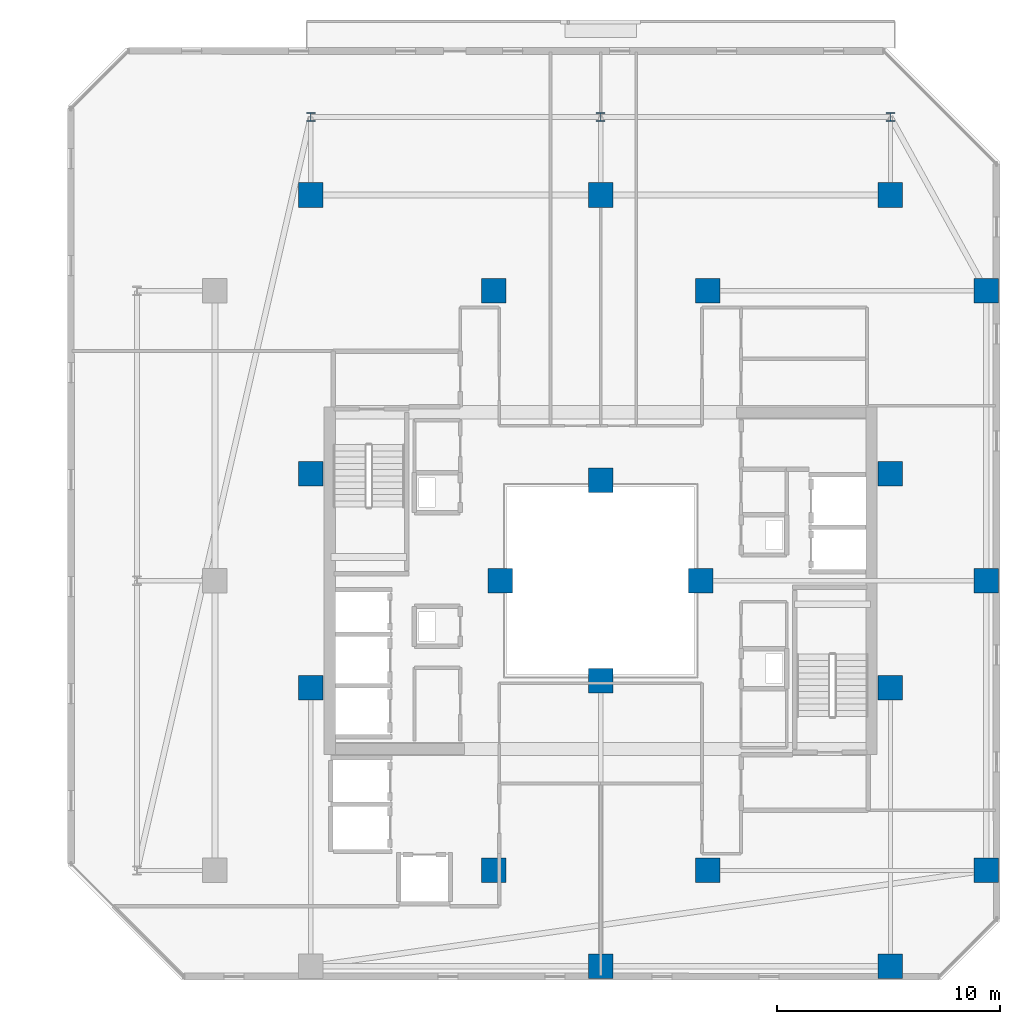
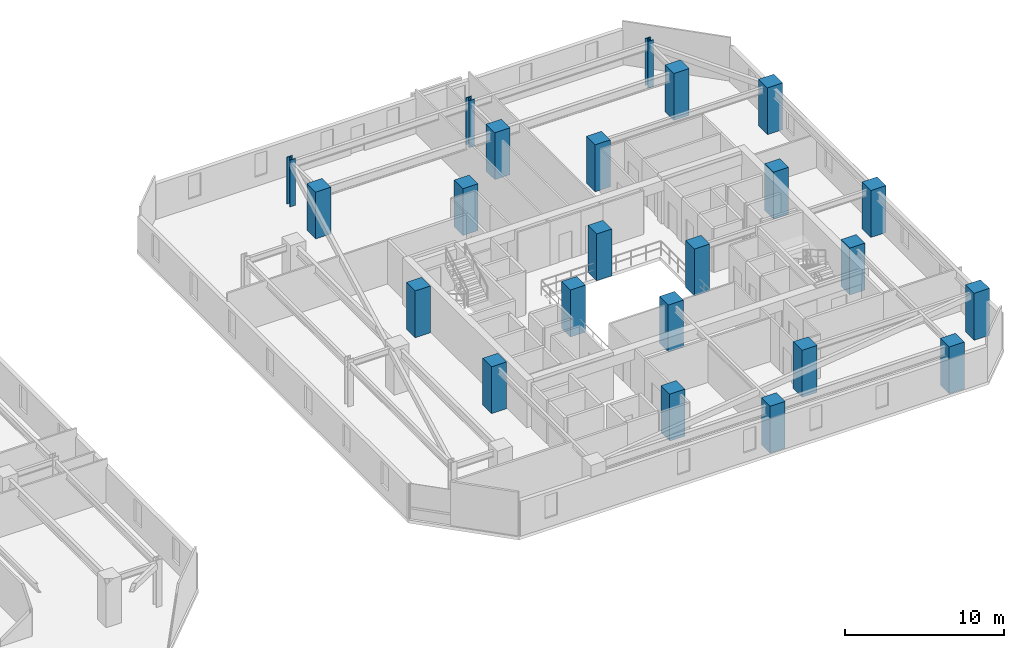
# One storey, part 2 of 33: 23 columns.
"""IFC4 building model written with IfcOpenShell, lengths in metres."""

from ifc_helpers import new_model, si_unit, direction, frame, origin, origin_2d, place, context, subcontext, project, spatial, rectangle, i_section, extrude, material, material_profile, profile_set, type_object, element, save


model = new_model("IFC4")

# Units and contexts
model_context = context("Model", 3, precision=1e-05, world=origin(), true_north=direction((0.0, 1.0)))
body_context = subcontext(model_context, "Body", "Model", "MODEL_VIEW")
ifc_project = project(units=[si_unit("LENGTHUNIT", "METRE"), si_unit("AREAUNIT", "SQUARE_METRE"), si_unit("VOLUMEUNIT", "CUBIC_METRE"), si_unit("PLANEANGLEUNIT", "RADIAN"), si_unit("MASSUNIT", "GRAM", prefix="KILO")], contexts=[model_context])

# Site, building, storey
site_placement = place(None, origin())
site = spatial("IfcSite", under=ifc_project, at=site_placement, CompositionType="ELEMENT")
building_placement = place(site_placement, origin())
building = spatial("IfcBuilding", under=site, at=building_placement, Name="Thornwick Lancets Civic Towers", CompositionType="ELEMENT")
storey_placement = place(building_placement, frame((0.0, 0.0, 189.300048828125)))
storey = spatial("IfcBuildingStorey", under=building, at=storey_placement, Name="L50", CompositionType="ELEMENT", Elevation=189.300048828125)

# Columns
ifc_material_1 = material(Name="Concrete C50/60", Category="concrete")
ifc_material_profile_1 = material_profile(ifc_material_1, rectangle(XDim=1.10009765625, YDim=1.10009765625, at=origin_2d()), Name="RC 1100x1100")
ifc_profile_set_1 = profile_set([ifc_material_profile_1], Name="Concrete C50/60")
column_type_1 = type_object("IfcColumnType", Name="COL_RC_1100", PredefinedType="COLUMN", material=ifc_profile_set_1)
for number, where, z_axis, x_axis, name in (
    (1, (105.800048828125, 14.0, 0.0), (0.0, 0.0, 1.0), (1.0, 0.0, 0.0), "L50 Spine Mega-Column B01"),
    (2, (105.800048828125, 27.0, 0.0), (0.0, 0.0, 1.0), (1.0, 0.0, 0.0), "L50 Spine Mega-Column B02"),
    (3, (105.800048828125, 40.0, 0.0), (0.0, 0.0, 1.0), (1.0, 0.0, 0.0), "L50 Spine Mega-Column B03"),
    (4, (101.5, 44.300048828125, 0.0), (0.0, 0.0, 1.0), (1.0, 0.0, 0.0), "L50 Spine Mega-Column B04"),
    (5, (88.5, 44.300048828125, 0.0), (0.0, 0.0, 1.0), (1.0, 0.0, 0.0), "L50 Spine Mega-Column B05"),
    (6, (75.5, 44.300048828125, 0.0), (0.0, 0.0, 1.0), (1.0, 0.0, 0.0), "L50 Spine Mega-Column B06"),
    (7, (101.5, 9.699951171875, 0.0), (0.0, 0.0, 1.0), (1.0, 0.0, 0.0), "L50 Spine Mega-Column B10"),
    (8, (88.5, 9.699951171875, 0.0), (0.0, 0.0, 1.0), (1.0, 0.0, 0.0), "L50 Spine Mega-Column B11"),
    (9, (93.300048828125, 14.0, 0.0), (0.0, 0.0, 1.0), (1.0, 0.0, 0.0), "L50 Spine Mega-Column B13"),
    (10, (93.300048828125, 40.0, 0.0), (0.0, 0.0, 1.0), (1.0, 0.0, 0.0), "L50 Spine Mega-Column B14"),
    (11, (83.699951171875, 14.0, 0.0), (0.0, 0.0, 1.0), (1.0, 0.0, 0.0), "L50 Spine Mega-Column B15"),
    (12, (83.699951171875, 40.0, 0.0), (0.0, 0.0, 1.0), (1.0, 0.0, 0.0), "L50 Spine Mega-Column B16"),
    (13, (101.5, 22.199951171875, 0.0), (0.0, 0.0, 1.0), (1.0, 0.0, 0.0), "L50 Spine Mega-Column B17"),
    (14, (101.5, 31.800048828125, 0.0), (0.0, 0.0, 1.0), (1.0, 0.0, 0.0), "L50 Spine Mega-Column B18"),
    (15, (75.5, 22.199951171875, 0.0), (0.0, 0.0, 1.0), (1.0, 0.0, 0.0), "L50 Spine Mega-Column B19"),
    (16, (75.5, 31.800048828125, 0.0), (0.0, 0.0, 1.0), (1.0, 0.0, 0.0), "L50 Spine Mega-Column B20"),
    (17, (93.0, 27.0, 0.0), (0.0, 0.0, 1.0), (1.0, 0.0, 0.0), "L50 Spine Mega-Column B21"),
    (18, (84.0, 27.0, 0.0), (0.0, 0.0, 1.0), (1.0, 0.0, 0.0), "L50 Spine Mega-Column B22"),
    (19, (88.5, 22.5, 0.0), (0.0, 0.0, 1.0), (1.0, 0.0, 0.0), "L50 Spine Mega-Column B23"),
    (20, (88.5, 31.5, 0.0), (0.0, 0.0, 1.0), (1.0, 0.0, 0.0), "L50 Spine Mega-Column B24"),
):
    element("IfcColumn", number, at=place(storey_placement, frame(where, z_axis=z_axis, x_axis=x_axis)), inside=storey, type_object=column_type_1, Name=name, PredefinedType="COLUMN", context=body_context, shape_type="SweptSolid", body=[
        extrude(rectangle(XDim=1.10009765625, YDim=1.10009765625, at=origin_2d()), origin(), (0.0, 0.0, 1.0), 3.599853515625),
    ])
ifc_material_2 = material(Name="Steel S460M", Category="steel")
ifc_material_profile_2 = material_profile(ifc_material_2, i_section(OverallWidth=0.406982421875, OverallDepth=0.4189453125, WebThickness=0.030517578125, FlangeThickness=0.04931640625, FilletRadius=0.01513671875, at=origin_2d()), Name="UKC 356x406x393")
ifc_profile_set_2 = profile_set([ifc_material_profile_2], Name="Steel S460M")
column_type_2 = type_object("IfcColumnType", Name="COL_UKC_393", PredefinedType="COLUMN", material=ifc_profile_set_2)
for number, where, z_axis, x_axis, name in (
    (21, (101.5, 47.800048828125, 0.0), (0.0, 0.0, 1.0), (1.0, 0.0, 0.0), "L50 Block Perimeter Column B04"),
    (22, (88.5, 47.800048828125, 0.0), (0.0, 0.0, 1.0), (1.0, 0.0, 0.0), "L50 Block Perimeter Column B05"),
    (23, (75.5, 47.800048828125, 0.0), (0.0, 0.0, 1.0), (1.0, 0.0, 0.0), "L50 Block Perimeter Column B06"),
):
    element("IfcColumn", number, at=place(storey_placement, frame(where, z_axis=z_axis, x_axis=x_axis)), inside=storey, type_object=column_type_2, Name=name, PredefinedType="COLUMN", context=body_context, shape_type="SweptSolid", body=[
        extrude(i_section(OverallWidth=0.406982421875, OverallDepth=0.4189453125, WebThickness=0.030517578125, FlangeThickness=0.04931640625, FilletRadius=0.01513671875, at=origin_2d()), origin(), (0.0, 0.0, 1.0), 3.599853515625),
    ])

save(model, "model.ifc")
